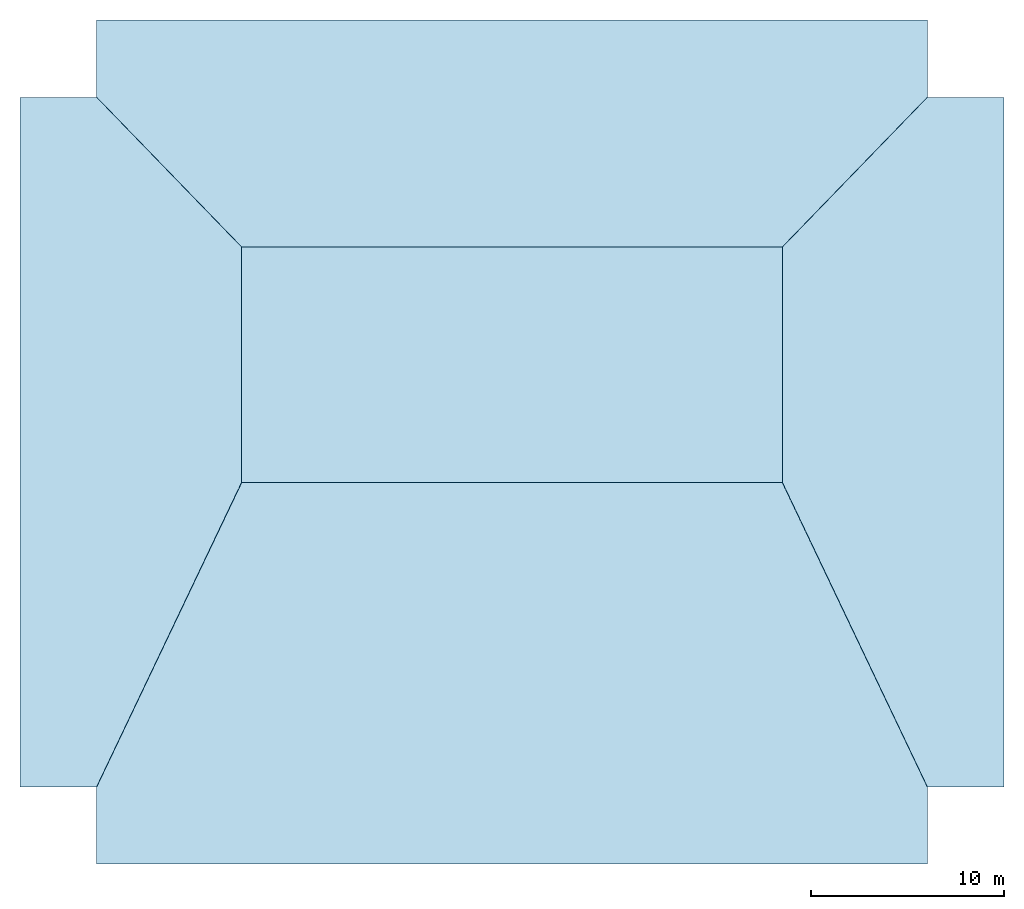
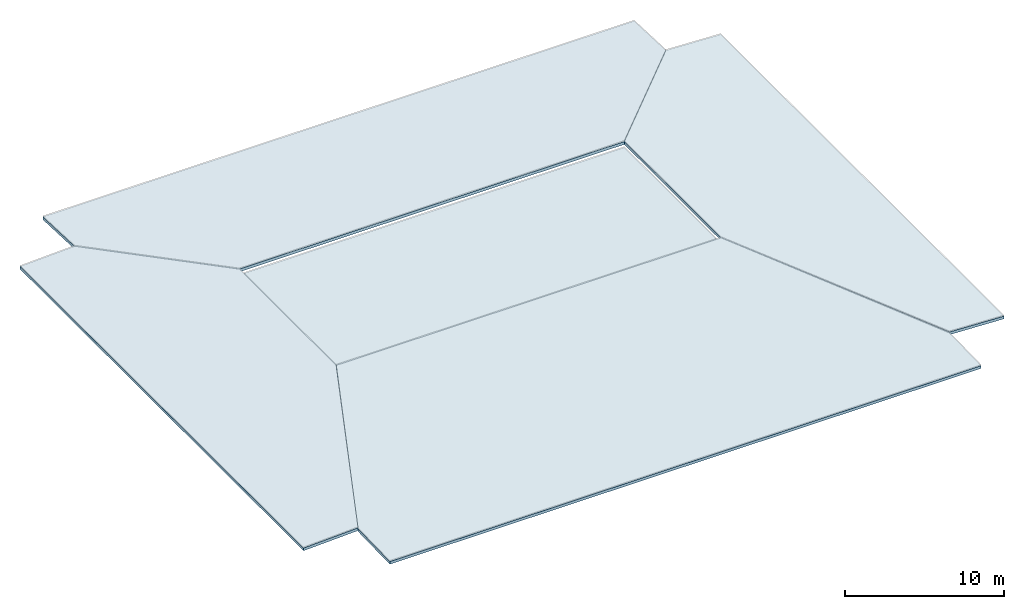
# One storey, part 1 of 2: 5 slabs.
"""IFC4 building model written with IfcOpenShell, lengths in metres."""

import ifcopenshell
import ifcopenshell.guid

model = None  # the IFC model being written
_history = None  # IfcOwnerHistory: only IFC2X3 demands one
_inside = {}  # id of a spatial element -> (the spatial element, [elements in it])
_under = {}  # id of a project, library or spatial element -> (it, [spatial elements below it])
_declared = {}  # id of a project -> (the project, [libraries it declares])
_typed = {}  # id of a type object -> (the type object, [elements of that type])
_made_of = {}  # id of a material, layer set ... -> (it, [elements and type objects made of it])


def new_model(schema):
    """Start an empty IFC model of exactly this schema.

    Asked for "IFC4X3", IfcOpenShell would pick the latest addendum, in which some entities
    have other attributes; the version numbers below select the first issue.
    IFC2X3 requires an IfcOwnerHistory on every rooted entity: one is made here for all.
    """
    global model, _history
    if schema == "IFC4X3":
        model = ifcopenshell.file(schema_version=(4, 3, 0, 0))
    else:
        model = ifcopenshell.file(schema=schema)
    _inside.clear()
    _under.clear()
    _declared.clear()
    _typed.clear()
    _made_of.clear()
    _history = None
    if model.schema == "IFC2X3":
        org = make("IfcOrganization", Name="unknown")
        user = make(
            "IfcPersonAndOrganization",
            ThePerson=make("IfcPerson", FamilyName="unknown"),
            TheOrganization=org,
        )
        app = make(
            "IfcApplication",
            ApplicationDeveloper=org,
            Version="unknown",
            ApplicationFullName="unknown",
            ApplicationIdentifier="unknown",
        )
        _history = make(
            "IfcOwnerHistory",
            OwningUser=user,
            OwningApplication=app,
            ChangeAction="ADDED",
            CreationDate=0,
        )
    return model


def make(cls, **values):
    """One entity of the class cls with the attributes given. An attribute that is None is left unset."""
    return model.create_entity(
        cls, **{name: value for name, value in values.items() if value is not None}
    )


def rooted(cls, **values):
    """An entity with a GlobalId (a new one), such as an element, a storey or a relation."""
    return make(cls, GlobalId=ifcopenshell.guid.new(), OwnerHistory=_history, **values)


def si_unit(unit_type, name, prefix=None):
    """IfcSIUnit, for example si_unit("LENGTHUNIT", "METRE", prefix="MILLI")."""
    return make("IfcSIUnit", UnitType=unit_type, Prefix=prefix, Name=name)


def assignment(units):
    """IfcUnitAssignment: the units of a project."""
    return None if units is None else make("IfcUnitAssignment", Units=units)


def point(xyz):
    """IfcCartesianPoint."""
    return None if xyz is None else make("IfcCartesianPoint", Coordinates=xyz)


def direction(xyz):
    """IfcDirection."""
    return None if xyz is None else make("IfcDirection", DirectionRatios=xyz)


def frame(location, z_axis=None, x_axis=None):
    """IfcAxis2Placement3D, a coordinate frame: its origin and axes. An axis left out is left unset."""
    return make(
        "IfcAxis2Placement3D",
        Location=point(location),
        Axis=direction(z_axis),
        RefDirection=direction(x_axis),
    )


def origin():
    """The frame at (0, 0, 0) with its axes left unset."""
    return frame((0.0, 0.0, 0.0))


def place(relative_to, where):
    """IfcLocalPlacement: puts the frame where relative to a parent placement (None: the world)."""
    return make(
        "IfcLocalPlacement", PlacementRelTo=relative_to, RelativePlacement=where
    )


def context(
    kind, dimensions, precision=None, world=None, true_north=None, identifier=None
):
    """IfcGeometricRepresentationContext, for example the 3D "Model" context."""
    return make(
        "IfcGeometricRepresentationContext",
        ContextIdentifier=identifier,
        ContextType=kind,
        CoordinateSpaceDimension=dimensions,
        Precision=precision,
        WorldCoordinateSystem=world,
        TrueNorth=true_north,
    )


def subcontext(parent, identifier, kind, view, scale=None):
    """IfcGeometricRepresentationSubContext, for example "Body" below "Model"."""
    return make(
        "IfcGeometricRepresentationSubContext",
        ContextIdentifier=identifier,
        ContextType=kind,
        ParentContext=parent,
        TargetScale=scale,
        TargetView=view,
    )


def project(units=None, contexts=None):
    """IfcProject with its units and contexts."""
    return rooted(
        "IfcProject",
        Name="project",
        RepresentationContexts=contexts,
        UnitsInContext=assignment(units),
    )


def spatial(cls, under=None, at=None, **own):
    """A site, building, storey or space (cls), placed at a placement, below another one or the project."""
    s = rooted(cls, ObjectPlacement=at, **own)
    if under is not None:
        _under.setdefault(under.id(), (under, []))[1].append(s)
    return s


def polyline(points):
    """IfcPolyline through the points."""
    return make("IfcPolyline", Points=[point(p) for p in points])


def outline(outer, holes=None, kind="AREA"):
    """IfcArbitraryClosedProfileDef: a profile drawn as a closed curve; with holes, ...WithVoids."""
    if holes is None:
        return make("IfcArbitraryClosedProfileDef", ProfileType=kind, OuterCurve=outer)
    return make(
        "IfcArbitraryProfileDefWithVoids",
        ProfileType=kind,
        OuterCurve=outer,
        InnerCurves=holes,
    )


def extrude(swept, where, along, depth):
    """IfcExtrudedAreaSolid: the profile swept, set in the frame where, extruded along a direction by depth."""
    return make(
        "IfcExtrudedAreaSolid",
        SweptArea=swept,
        Position=where,
        ExtrudedDirection=direction(along),
        Depth=depth,
    )


def shape(context_of_items, identifier, shape_type, items):
    """IfcShapeRepresentation: the items that make up one representation, for example the "Body"."""
    return make(
        "IfcShapeRepresentation",
        ContextOfItems=context_of_items,
        RepresentationIdentifier=identifier,
        RepresentationType=shape_type,
        Items=items,
    )


def material(Name=None, Category=None):
    """IfcMaterial."""
    return make("IfcMaterial", Name=Name, Category=Category)


def layer(
    of_material, thickness, ventilated=None, Name=None, Category=None, Priority=None
):
    """IfcMaterialLayer: one layer of a wall or slab, of a material (None: an air gap)."""
    return make(
        "IfcMaterialLayer",
        Material=of_material,
        LayerThickness=thickness,
        IsVentilated=ventilated,
        Name=Name,
        Category=Category,
        Priority=Priority,
    )


def layer_set(layers, Name=None):
    """IfcMaterialLayerSet."""
    return make("IfcMaterialLayerSet", MaterialLayers=layers, LayerSetName=Name)


def made_of(thing, what):
    """Note that an element or type object is made of a material, layer set ...; save() writes the relation."""
    if what is not None:
        _made_of.setdefault(what.id(), (what, []))[1].append(thing)
    return thing


def type_object(cls, material=None, **own):
    """A type object (cls), such as IfcWallType, which elements share."""
    return made_of(rooted(cls, **own), material)


def element(
    cls,
    number,
    at=None,
    inside=None,
    cuts=None,
    type_object=None,
    material=None,
    context=None,
    identifier="Body",
    shape_type=None,
    held_by="IfcProductDefinitionShape",
    body=None,
    shapes=None,
    **own,
):
    """One element of the class cls, such as IfcWall. Its Tag is "e" and its number.

    at: its placement. inside: the storey or other place that contains it. cuts: it is an
    opening in that element (IfcRelVoidsElement). A single representation is given by context,
    identifier, shape_type and body (its items); several are given by shapes. held_by: the class
    of the entity that holds the representations. save() writes the other relations.
    """
    e = rooted(cls, Tag="e%d" % number, ObjectPlacement=at, **own)
    if body is not None:
        shapes = [shape(context, identifier, shape_type, body)]
    if shapes is not None:
        e.Representation = make(held_by, Representations=shapes)
    if inside is not None:
        _inside.setdefault(inside.id(), (inside, []))[1].append(e)
    if cuts is not None:
        rooted(
            "IfcRelVoidsElement", RelatingBuildingElement=cuts, RelatedOpeningElement=e
        )
    if type_object is not None:
        _typed.setdefault(type_object.id(), (type_object, []))[1].append(e)
    return made_of(e, material)


def aggregate(whole, parts):
    """IfcRelAggregates: a whole, such as a stair, and the parts it consists of."""
    return rooted("IfcRelAggregates", RelatingObject=whole, RelatedObjects=parts)


def save(model, path):
    """Write the relations noted so far, then the file.

    IfcRelAggregates (storeys below a building ...), IfcRelContainedInSpatialStructure (elements
    in a storey), IfcRelDefinesByType, IfcRelAssociatesMaterial and IfcRelDeclares: one each for
    every whole, place, type object, material and project.
    """
    for whole, parts in _under.values():
        aggregate(whole, parts)
    for where, things in _inside.values():
        rooted(
            "IfcRelContainedInSpatialStructure",
            RelatedElements=things,
            RelatingStructure=where,
        )
    for kind, things in _typed.values():
        rooted("IfcRelDefinesByType", RelatedObjects=things, RelatingType=kind)
    for what, things in _made_of.values():
        rooted("IfcRelAssociatesMaterial", RelatedObjects=things, RelatingMaterial=what)
    for by, libraries in _declared.values():
        rooted("IfcRelDeclares", RelatingContext=by, RelatedDefinitions=libraries)
    model.write(path)


model = new_model("IFC4")

# Units and contexts
model_context = context("Model", 3, precision=1e-05, world=origin(), true_north=direction((0.0, 1.0)))
body_context = subcontext(model_context, "Body", "Model", "MODEL_VIEW")
ifc_project = project(units=[si_unit("LENGTHUNIT", "METRE"), si_unit("AREAUNIT", "SQUARE_METRE"), si_unit("VOLUMEUNIT", "CUBIC_METRE"), si_unit("PLANEANGLEUNIT", "RADIAN"), si_unit("MASSUNIT", "GRAM", prefix="KILO")], contexts=[model_context])

# Site, building, storey
site_placement = place(None, origin())
site = spatial("IfcSite", under=ifc_project, at=site_placement, CompositionType="ELEMENT")
building_placement = place(site_placement, origin())
building = spatial("IfcBuilding", under=site, at=building_placement, Name="Khoronbel Lancet Exchange", CompositionType="ELEMENT")
storey_placement = place(building_placement, frame((0.0, 0.0, 383.9599609375)))
storey = spatial("IfcBuildingStorey", under=building, at=storey_placement, Name="ROOF", CompositionType="ELEMENT", Elevation=383.9599609375)

# Slabs
ifc_material = material(Name="Concrete C40/50", Category="concrete")
ifc_layer_1 = layer(ifc_material, 0.2099609375, Name="Concrete C40/50")
ifc_layer_set_1 = layer_set([ifc_layer_1], Name="Concrete C40/50")
slab_type_1 = type_object("IfcSlabType", Name="SL-ROOF200", PredefinedType="ROOF", material=ifc_layer_set_1)
slab_1_placement = place(storey_placement, frame((14.949951171875, 9.85009765625, 0.2099609375), z_axis=(0.0, -0.024302515502, 0.999704650254), x_axis=(1.0, 0.0, 0.0)))
element("IfcSlab", 1, at=slab_1_placement, inside=storey, type_object=slab_type_1, Name="Crown roof closed Gothic ring-crown sloped roof slab SOUTH", PredefinedType="ROOF", context=body_context, shape_type="SweptSolid", body=[
    extrude(outline(polyline([(0.0, 0.0), (43.0, 0.0), (43.0, 3.99609375), (35.4951171875, 19.750732421875), (7.505126953125, 19.750732421875), (0.0, 3.99609375), (0.0, 0.0)])), origin(), (0.0, 0.0, -1.0), 0.2099609375),
])
slab_2_placement = place(storey_placement, frame((57.949951171875, 53.550048828125, 0.2099609375), z_axis=(0.0, 0.040833375548, 0.999165969918), x_axis=(-1.0, 0.0, 0.0)))
element("IfcSlab", 2, at=slab_2_placement, inside=storey, type_object=slab_type_1, Name="Crown roof closed Gothic ring-crown sloped roof slab NORTH", PredefinedType="ROOF", context=body_context, shape_type="SweptSolid", body=[
    extrude(outline(polyline([(0.0, 0.0), (43.0, 0.0), (43.0, 3.99853515625), (35.494873046875, 11.7548828125), (7.5048828125, 11.7548828125), (0.0, 3.99853515625), (0.0, 0.0)])), origin(), (0.0, 0.0, -1.0), 0.2099609375),
])
slab_3_placement = place(storey_placement, frame((10.97998046875, 49.550048828125, 0.2099609375), z_axis=(-0.041828584283, 0.0, 0.999124801782), x_axis=(0.0, -1.0, 0.0)))
element("IfcSlab", 3, at=slab_3_placement, inside=storey, type_object=slab_type_1, Name="Crown roof closed Gothic ring-crown sloped roof slab WEST", PredefinedType="ROOF", context=body_context, shape_type="SweptSolid", body=[
    extrude(outline(polyline([(0.0, 0.0), (35.699951171875, 0.0), (35.699951171875, 3.968505859375), (19.949951171875, 11.47509765625), (7.75, 11.47509765625), (0.0, 3.968505859375), (0.0, 0.0)])), origin(), (0.0, 0.0, -1.0), 0.2099609375),
])
slab_4_placement = place(storey_placement, frame((61.919921875, 13.85009765625, 0.2099609375), z_axis=(0.041829717429, 0.0, 0.999124754342), x_axis=(0.0, 1.0, 0.0)))
element("IfcSlab", 4, at=slab_4_placement, inside=storey, type_object=slab_type_1, Name="Crown roof closed Gothic ring-crown sloped roof slab EAST", PredefinedType="ROOF", context=body_context, shape_type="SweptSolid", body=[
    extrude(outline(polyline([(0.0, 0.0), (35.699951171875, 0.0), (35.699951171875, 3.96826171875), (27.949951171875, 11.474853515625), (15.75, 11.474853515625), (0.0, 3.96826171875), (0.0, 0.0)])), origin(), (0.0, 0.0, -1.0), 0.2099609375),
])
ifc_layer_2 = layer(ifc_material, 0.22998046875, Name="Concrete C40/50")
ifc_layer_set_2 = layer_set([ifc_layer_2], Name="Concrete C40/50")
slab_type_2 = type_object("IfcSlabType", Name="SL-ROOF220", PredefinedType="ROOF", material=ifc_layer_set_2)
slab_5_placement = place(storey_placement, origin())
element("IfcSlab", 5, at=slab_5_placement, inside=storey, type_object=slab_type_2, Name="Crown roof closed Gothic ring-crown horizontal structural roof deck", PredefinedType="ROOF", context=body_context, shape_type="SweptSolid", body=[
    extrude(outline(polyline([(22.449951171875, 29.60009765625), (50.449951171875, 29.60009765625), (50.449951171875, 41.800048828125), (22.449951171875, 41.800048828125), (22.449951171875, 29.60009765625)])), origin(), (0.0, 0.0, 1.0), 0.239990234375),
])

save(model, "model.ifc")
